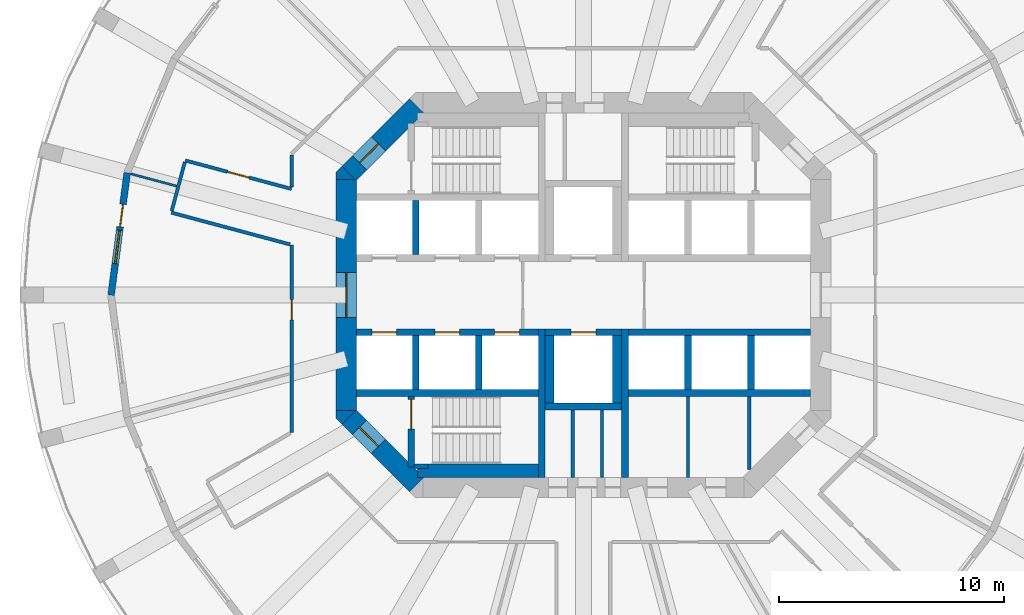
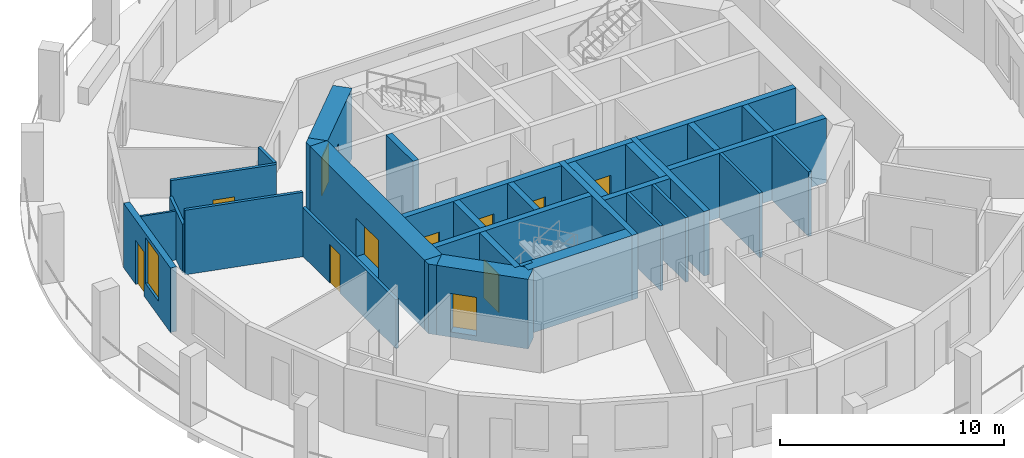
# One storey, part 3 of 8: 34 walls, 11 doors, 1 window, 12 openings.
"""IFC4 building model written with IfcOpenShell, lengths in metres."""

from ifc_helpers import new_model, si_unit, direction, frame, frame_2d, origin, place, context, subcontext, project, spatial, polyline, rectangle, outline, extrude, material, layer, layer_set, type_object, element, fill, save


model = new_model("IFC4")

# Units and contexts
model_context = context("Model", 3, precision=1e-05, world=origin(), true_north=direction((0.0, 1.0)))
body_context = subcontext(model_context, "Body", "Model", "MODEL_VIEW")
ifc_project = project(units=[si_unit("LENGTHUNIT", "METRE"), si_unit("AREAUNIT", "SQUARE_METRE"), si_unit("VOLUMEUNIT", "CUBIC_METRE"), si_unit("PLANEANGLEUNIT", "RADIAN"), si_unit("MASSUNIT", "GRAM", prefix="KILO")], contexts=[model_context])

# Site, building, storey
site_placement = place(None, origin())
site = spatial("IfcSite", under=ifc_project, at=site_placement, CompositionType="ELEMENT")
building_placement = place(site_placement, origin())
building = spatial("IfcBuilding", under=site, at=building_placement, Name="Torre Triforio", CompositionType="ELEMENT")
storey_placement = place(building_placement, frame((0.0, 0.0, 116.199951171875)))
storey = spatial("IfcBuildingStorey", under=building, at=storey_placement, Name="L25", CompositionType="ELEMENT", Elevation=116.199951171875)

# Walls
ifc_material_1 = material(Name="Concrete C60", Category="concrete")
ifc_layer_1 = layer(ifc_material_1, 0.300048828125)
ifc_layer_set_1 = layer_set([ifc_layer_1], Name="Concrete C60")
wall_type_1 = type_object("IfcWallType", Name="Core wall 300 mm C60 EI 120", PredefinedType="SHEAR", material=ifc_layer_set_1)
for number, where, z_axis, x_axis, name in (
    (1, (-1.85009765625, -8.10009765625, 0.0), (0.0, 0.0, 1.0), (0.0, 1.0, 0.0), "Core wall"),
    (2, (1.85009765625, -8.10009765625, 0.0), (0.0, 0.0, 1.0), (0.0, 1.0, 0.0), "Core wall"),
):
    element("IfcWall", number, at=place(storey_placement, frame(where, z_axis=z_axis, x_axis=x_axis)), inside=storey, type_object=wall_type_1, Name=name, PredefinedType="SHEAR", context=body_context, shape_type="SweptSolid", body=[
        extrude(rectangle(XDim=6.60009765625, YDim=0.300048828125, at=frame_2d((3.300048828125, 0.0))), origin(), (0.0, 0.0, 1.0), 3.52001953125),
    ])

# Wall, opening, door
ifc_layer_2 = layer(ifc_material_1, 0.89990234375)
ifc_layer_set_2 = layer_set([ifc_layer_2], Name="Concrete C60")
wall_type_2 = type_object("IfcWallType", Name="Core wall 900 mm C60 EI 120", PredefinedType="SHEAR", material=ifc_layer_set_2)
wall_1_placement = place(storey_placement, frame((-10.550048828125, -5.1298828125, -0.280029296875), z_axis=(0.0, 0.0, 1.0), x_axis=(0.0, 1.0, 0.0)))
wall_1 = element("IfcWall", 3, at=wall_1_placement, inside=storey, type_object=wall_type_2, Name="Core wall", PredefinedType="SHEAR", context=body_context, shape_type="SweptSolid", body=[
    extrude(rectangle(XDim=10.259765625, YDim=0.89990234375, at=frame_2d((5.1298828125, 0.0))), origin(), (0.0, 0.0, 1.0), 3.800048828125),
])
opening_1_placement = place(wall_1_placement, frame((4.1298828125, 0.0, 0.280029296875)))
opening_1 = element("IfcOpeningElement", 4, at=opening_1_placement, cuts=wall_1, Name="Opening W-RING", PredefinedType="OPENING", context=body_context, shape_type="SweptSolid", body=[
    extrude(rectangle(XDim=2.0, YDim=2.10009765625, at=frame_2d((1.0, 1.050048828125))), frame((0.0, 0.4599609375, 0.0), z_axis=(0.0, -1.0, 0.0), x_axis=(1.0, 0.0, 0.0)), (0.0, 0.0, 1.0), 0.919921875),
])
ifc_material_2 = material(Name="Hollow metal fire door leaf")
door_type_1 = type_object("IfcDoorType", Name="Lobby door 2000 x 2100 EI 60", OperationType="DOUBLE_DOOR_SINGLE_SWING", PredefinedType="DOOR", material=ifc_material_2)
door_1_placement = place(opening_1_placement, origin())
door_1 = element("IfcDoor", 5, at=door_1_placement, inside=storey, type_object=door_type_1, Name="Core door W-RING", OperationType="DOUBLE_DOOR_SINGLE_SWING", OverallHeight=2.10009765625, OverallWidth=2.0, PredefinedType="DOOR", context=body_context, shape_type="SweptSolid", body=[
    extrude(rectangle(XDim=2.0, YDim=2.10009765625, at=frame_2d((1.0, 1.050048828125))), frame((0.0, 0.02490234375, 0.0), z_axis=(0.0, -1.0, 0.0), x_axis=(1.0, 0.0, 0.0)), (0.0, 0.0, 1.0), 0.050048828125),
])
fill(opening_1, door_1)

wall_2_placement = place(storey_placement, frame((-10.418212890625, 5.418212890625, -0.280029296875), z_axis=(0.0, 0.0, 1.0), x_axis=(0.707106781187, 0.707106781187, 0.0)))
wall_2 = element("IfcWall", 6, at=wall_2_placement, inside=storey, type_object=wall_type_2, Name="Core wall", PredefinedType="SHEAR", context=body_context, shape_type="SweptSolid", body=[
    extrude(rectangle(XDim=4.24267578125, YDim=0.89990234375, at=frame_2d((2.121337890625, 0.0))), origin(), (0.0, 0.0, 1.0), 3.800048828125),
])
opening_2_placement = place(wall_2_placement, frame((0.64990234375, 0.0, 0.280029296875)))
opening_2 = element("IfcOpeningElement", 7, at=opening_2_placement, cuts=wall_2, Name="Opening ST1-EXIT", PredefinedType="OPENING", context=body_context, shape_type="SweptSolid", body=[
    extrude(rectangle(XDim=1.199951171875, YDim=2.10009765625, at=frame_2d((0.60009765625, 1.050048828125))), frame((0.0, 0.4599609375, 0.0), z_axis=(0.0, -1.0, 0.0), x_axis=(1.0, 0.0, 0.0)), (0.0, 0.0, 1.0), 0.919921875),
])
door_type_2 = type_object("IfcDoorType", Name="Stair lobby door 1200 x 2100 EI 60", OperationType="NOTDEFINED", PredefinedType="DOOR", material=ifc_material_2)
door_2_placement = place(opening_2_placement, origin())
door_2 = element("IfcDoor", 8, at=door_2_placement, inside=storey, type_object=door_type_2, Name="Core door ST1-EXIT", OperationType="SINGLE_SWING_RIGHT", OverallHeight=2.10009765625, OverallWidth=1.199951171875, PredefinedType="DOOR", context=body_context, shape_type="SweptSolid", body=[
    extrude(rectangle(XDim=1.199951171875, YDim=2.10009765625, at=frame_2d((0.60009765625, 1.050048828125))), frame((0.0, 0.02490234375, 0.0), z_axis=(0.0, -1.0, 0.0), x_axis=(1.0, 0.0, 0.0)), (0.0, 0.0, 1.0), 0.050048828125),
])
fill(opening_2, door_2)

wall_3_placement = place(storey_placement, frame((-7.418212890625, -8.418212890625, -0.280029296875), z_axis=(0.0, 0.0, 1.0), x_axis=(-0.707106781187, 0.707106781187, 0.0)))
wall_3 = element("IfcWall", 9, at=wall_3_placement, inside=storey, type_object=wall_type_2, Name="Core wall", PredefinedType="SHEAR", context=body_context, shape_type="SweptSolid", body=[
    extrude(rectangle(XDim=4.24267578125, YDim=0.89990234375, at=frame_2d((2.121337890625, 0.0))), origin(), (0.0, 0.0, 1.0), 3.800048828125),
])
opening_3_placement = place(wall_3_placement, frame((2.392578125, 0.0, 0.280029296875)))
opening_3 = element("IfcOpeningElement", 10, at=opening_3_placement, cuts=wall_3, Name="Opening ST3-EXIT", PredefinedType="OPENING", context=body_context, shape_type="SweptSolid", body=[
    extrude(rectangle(XDim=1.199951171875, YDim=2.10009765625, at=frame_2d((0.60009765625, 1.050048828125))), frame((0.0, 0.4599609375, 0.0), z_axis=(0.0, -1.0, 0.0), x_axis=(1.0, 0.0, 0.0)), (0.0, 0.0, 1.0), 0.919921875),
])
door_3_placement = place(opening_3_placement, origin())
door_3 = element("IfcDoor", 11, at=door_3_placement, inside=storey, type_object=door_type_2, Name="Core door ST3-EXIT", OperationType="SINGLE_SWING_RIGHT", OverallHeight=2.10009765625, OverallWidth=1.199951171875, PredefinedType="DOOR", context=body_context, shape_type="SweptSolid", body=[
    extrude(rectangle(XDim=1.199951171875, YDim=2.10009765625, at=frame_2d((0.60009765625, 1.050048828125))), frame((0.0, 0.02490234375, 0.0), z_axis=(0.0, -1.0, 0.0), x_axis=(1.0, 0.0, 0.0)), (0.0, 0.0, 1.0), 0.050048828125),
])
fill(opening_3, door_3)

# Walls
wall_4_placement = place(storey_placement, frame((0.0, 0.0, -0.280029296875)))
element("IfcWall", 12, at=wall_4_placement, inside=storey, type_object=wall_type_2, Name="Core wall", PredefinedType="SHEAR", context=body_context, shape_type="SweptSolid", body=[
    extrude(outline(polyline([(-11.0, -5.472900390625), (-11.0, -5.1298828125), (-10.1298828125, -5.1298828125), (-10.736328125, -5.736328125), (-11.0, -5.472900390625)])), origin(), (0.0, 0.0, 1.0), 3.800048828125),
])
wall_5_placement = place(storey_placement, frame((0.0, 0.0, -0.280029296875)))
element("IfcWall", 13, at=wall_5_placement, inside=storey, type_object=wall_type_2, Name="Core wall", PredefinedType="SHEAR", context=body_context, shape_type="SweptSolid", body=[
    extrude(outline(polyline([(-10.736328125, 5.736328125), (-10.1298828125, 5.1298828125), (-11.0, 5.1298828125), (-11.0, 5.472900390625), (-10.736328125, 5.736328125)])), origin(), (0.0, 0.0, 1.0), 3.800048828125),
])

# Wall, opening, door
ifc_material_3 = material(Name="Plasterboard on metal studs")
ifc_layer_3 = layer(ifc_material_3, 0.14990234375)
ifc_layer_set_3 = layer_set([ifc_layer_3], Name="Plasterboard on metal studs")
wall_type_3 = type_object("IfcWallType", Name="Corridor and tenancy wall 150 mm EI 60", PredefinedType="PARTITIONING", material=ifc_layer_set_3)
wall_6_placement = place(storey_placement, frame((-12.97509765625, -6.10546875, 0.0), z_axis=(0.0, 0.0, 1.0), x_axis=(0.0, 1.0, 0.0)))
wall_6 = element("IfcWall", 14, at=wall_6_placement, inside=storey, type_object=wall_type_3, Name="Partition 3", PredefinedType="PARTITIONING", context=body_context, shape_type="SweptSolid", body=[
    extrude(rectangle(XDim=8.33984375, YDim=0.14990234375, at=frame_2d((4.169921875, 0.0))), origin(), (0.0, 0.0, 1.0), 2.670166015625),
])
opening_4_placement = place(wall_6_placement, frame((5.00830078125, 0.0, 0.0)))
opening_4 = element("IfcOpeningElement", 15, at=opening_4_placement, cuts=wall_6, Name="Opening D1-04", PredefinedType="OPENING", context=body_context, shape_type="SweptSolid", body=[
    extrude(rectangle(XDim=0.89990234375, YDim=2.10009765625, at=frame_2d((0.449951171875, 1.050048828125))), frame((0.0, 0.0849609375, 0.0), z_axis=(0.0, -1.0, 0.0), x_axis=(1.0, 0.0, 0.0)), (0.0, 0.0, 1.0), 0.169921875),
])
ifc_material_4 = material(Name="Timber", Category="wood")
door_type_3 = type_object("IfcDoorType", Name="Door 900 x 2100 single leaf EI 30", OperationType="NOTDEFINED", PredefinedType="DOOR", material=ifc_material_4)
door_4_placement = place(opening_4_placement, origin())
door_4 = element("IfcDoor", 16, at=door_4_placement, inside=storey, type_object=door_type_3, Name="Door D1-04", OperationType="SINGLE_SWING_LEFT", OverallHeight=2.10009765625, OverallWidth=0.89990234375, PredefinedType="DOOR", context=body_context, shape_type="SweptSolid", body=[
    extrude(rectangle(XDim=0.89990234375, YDim=2.10009765625, at=frame_2d((0.449951171875, 1.050048828125))), frame((0.0, 0.02490234375, 0.0), z_axis=(0.0, -1.0, 0.0), x_axis=(1.0, 0.0, 0.0)), (0.0, 0.0, 1.0), 0.050048828125),
])
fill(opening_4, door_4)

# Walls
wall_7_placement = place(storey_placement, frame((-13.044921875, 2.253173828125, 0.0), z_axis=(0.0, 0.0, 1.0), x_axis=(-0.965932498402, 0.258794143153, 0.0)))
element("IfcWall", 17, at=wall_7_placement, inside=storey, type_object=wall_type_3, Name="Partition 4", PredefinedType="PARTITIONING", context=body_context, shape_type="SweptSolid", body=[
    extrude(rectangle(XDim=5.465087890625, YDim=0.14990234375, at=frame_2d((2.732421875, 0.0))), origin(), (0.0, 0.0, 1.0), 3.52001953125),
])
wall_8_placement = place(storey_placement, frame((-18.304443359375, 3.739990234375, 0.0), z_axis=(0.0, 0.0, 1.0), x_axis=(0.25879032241, 0.965933522054, 0.0)))
element("IfcWall", 18, at=wall_8_placement, inside=storey, type_object=wall_type_3, Name="Partition 5", PredefinedType="PARTITIONING", context=body_context, shape_type="SweptSolid", body=[
    extrude(rectangle(XDim=2.25, YDim=0.14990234375, at=frame_2d((1.125, 0.0))), origin(), (0.0, 0.0, 1.0), 2.670166015625),
])

# Wall, opening, door
wall_9_placement = place(storey_placement, frame((-17.70263671875, 5.98583984375, 0.0), z_axis=(0.0, 0.0, 1.0), x_axis=(0.965920440817, -0.258839143121, 0.0)))
wall_9 = element("IfcWall", 19, at=wall_9_placement, inside=storey, type_object=wall_type_3, Name="Partition 6", PredefinedType="PARTITIONING", context=body_context, shape_type="SweptSolid", body=[
    extrude(rectangle(XDim=4.894287109375, YDim=0.14990234375, at=frame_2d((2.447265625, 0.0))), origin(), (0.0, 0.0, 1.0), 3.52001953125),
])
opening_5_placement = place(wall_9_placement, frame((1.947265625, 0.0, 0.0)))
opening_5 = element("IfcOpeningElement", 20, at=opening_5_placement, cuts=wall_9, Name="Opening D1-03", PredefinedType="OPENING", context=body_context, shape_type="SweptSolid", body=[
    extrude(rectangle(XDim=1.0, YDim=2.10009765625, at=frame_2d((0.5, 1.050048828125))), frame((0.0, 0.0849609375, 0.0), z_axis=(0.0, -1.0, 0.0), x_axis=(1.0, 0.0, 0.0)), (0.0, 0.0, 1.0), 0.169921875),
])
door_type_4 = type_object("IfcDoorType", Name="Door 1000 x 2100 single leaf EI 30", OperationType="NOTDEFINED", PredefinedType="DOOR", material=ifc_material_4)
door_5_placement = place(opening_5_placement, origin())
door_5 = element("IfcDoor", 21, at=door_5_placement, inside=storey, type_object=door_type_4, Name="Door D1-03", OperationType="SINGLE_SWING_RIGHT", OverallHeight=2.10009765625, OverallWidth=1.0, PredefinedType="DOOR", context=body_context, shape_type="SweptSolid", body=[
    extrude(rectangle(XDim=1.0, YDim=2.10009765625, at=frame_2d((0.5, 1.050048828125))), frame((0.0, 0.02490234375, 0.0), z_axis=(0.0, -1.0, 0.0), x_axis=(1.0, 0.0, 0.0)), (0.0, 0.0, 1.0), 0.050048828125),
])
fill(opening_5, door_5)

# Walls
wall_10_placement = place(storey_placement, frame((-12.97509765625, 4.81640625, 0.0), z_axis=(0.0, 0.0, 1.0), x_axis=(0.0, 1.0, 0.0)))
element("IfcWall", 22, at=wall_10_placement, inside=storey, type_object=wall_type_3, Name="Partition 7", PredefinedType="PARTITIONING", context=body_context, shape_type="SweptSolid", body=[
    extrude(rectangle(XDim=1.421875, YDim=0.14990234375, at=frame_2d((0.7109375, 0.0))), origin(), (0.0, 0.0, 1.0), 3.52001953125),
])
ifc_layer_4 = layer(ifc_material_3, 0.10009765625)
ifc_layer_set_4 = layer_set([ifc_layer_4], Name="Plasterboard on metal studs")
wall_type_4 = type_object("IfcWallType", Name="Partition 100 mm board on metal studs", PredefinedType="PARTITIONING", material=ifc_layer_set_4)
wall_11_placement = place(storey_placement, frame((-18.085693359375, 4.84619140625, 0.0), z_axis=(0.0, 0.0, 1.0), x_axis=(-0.965956301772, 0.258705282257, 0.0)))
element("IfcWall", 23, at=wall_11_placement, inside=storey, type_object=wall_type_4, Name="Partition 35", PredefinedType="PARTITIONING", context=body_context, shape_type="SweptSolid", body=[
    extrude(rectangle(XDim=2.113037109375, YDim=0.10009765625, at=frame_2d((1.056640625, 0.0))), origin(), (0.0, 0.0, 1.0), 2.670166015625),
])
ifc_material_5 = material(Name="Block and board partition")
ifc_layer_5 = layer(ifc_material_5, 0.14990234375)
ifc_layer_set_5 = layer_set([ifc_layer_5], Name="Block and board partition")
wall_type_5 = type_object("IfcWallType", Name="Partition 150 mm", PredefinedType="PARTITIONING", material=ifc_layer_set_5)
wall_12_placement = place(storey_placement, frame((-0.47509765625, -8.10009765625, 0.0), z_axis=(0.0, 0.0, 1.0), x_axis=(0.0, 1.0, 0.0)))
element("IfcWall", 24, at=wall_12_placement, inside=storey, type_object=wall_type_5, Name="Partition", PredefinedType="PARTITIONING", context=body_context, shape_type="SweptSolid", body=[
    extrude(rectangle(XDim=3.0, YDim=0.14990234375, at=frame_2d((1.5, 0.0))), origin(), (0.0, 0.0, 1.0), 3.52001953125),
])
wall_13_placement = place(storey_placement, frame((4.64892578125, -8.10009765625, 0.0), z_axis=(0.0, 0.0, 1.0), x_axis=(0.0, 1.0, 0.0)))
element("IfcWall", 25, at=wall_13_placement, inside=storey, type_object=wall_type_5, Name="Partition", PredefinedType="PARTITIONING", context=body_context, shape_type="SweptSolid", body=[
    extrude(rectangle(XDim=3.60009765625, YDim=0.14990234375, at=frame_2d((1.800048828125, 0.0))), origin(), (0.0, 0.0, 1.0), 3.52001953125),
])
wall_14_placement = place(storey_placement, frame((7.373046875, -7.751953125, 0.0), z_axis=(0.0, 0.0, 1.0), x_axis=(0.0, 1.0, 0.0)))
element("IfcWall", 26, at=wall_14_placement, inside=storey, type_object=wall_type_5, Name="Partition", PredefinedType="PARTITIONING", context=body_context, shape_type="SweptSolid", body=[
    extrude(rectangle(XDim=3.251953125, YDim=0.14990234375, at=frame_2d((1.6259765625, 0.0))), origin(), (0.0, 0.0, 1.0), 3.52001953125),
])
ifc_layer_6 = layer(ifc_material_5, 0.14990234375)
ifc_layer_set_6 = layer_set([ifc_layer_6], Name="Block and board partition")
wall_type_6 = type_object("IfcWallType", Name="Partition 150 mm EI 120", PredefinedType="PARTITIONING", material=ifc_layer_set_6)
wall_15_placement = place(storey_placement, frame((0.824951171875, -8.10009765625, 0.0), z_axis=(0.0, 0.0, 1.0), x_axis=(0.0, 1.0, 0.0)))
element("IfcWall", 27, at=wall_15_placement, inside=storey, type_object=wall_type_6, Name="Partition", PredefinedType="PARTITIONING", context=body_context, shape_type="SweptSolid", body=[
    extrude(rectangle(XDim=3.0, YDim=0.14990234375, at=frame_2d((1.5, 0.0))), origin(), (0.0, 0.0, 1.0), 3.52001953125),
])
ifc_layer_7 = layer(ifc_material_1, 0.300048828125)
ifc_layer_set_7 = layer_set([ifc_layer_7], Name="Concrete C60")
wall_type_7 = type_object("IfcWallType", Name="Shaft wall 300 mm C60 EI 120", PredefinedType="SOLIDWALL", material=ifc_layer_set_7)
for number, where, z_axis, x_axis, name in (
    (28, (-10.10009765625, -4.35009765625, 0.0), (0.0, 0.0, 1.0), (1.0, 0.0, 0.0), "Shaft wall"),
    (29, (2.0, -4.35009765625, 0.0), (0.0, 0.0, 1.0), (1.0, 0.0, 0.0), "Shaft wall"),
):
    element("IfcWall", number, at=place(storey_placement, frame(where, z_axis=z_axis, x_axis=x_axis)), inside=storey, type_object=wall_type_7, Name=name, PredefinedType="SOLIDWALL", context=body_context, shape_type="SweptSolid", body=[
        extrude(rectangle(XDim=8.10009765625, YDim=0.300048828125, at=frame_2d((4.050048828125, 0.0))), origin(), (0.0, 0.0, 1.0), 3.52001953125),
    ])

# Wall, openings, doors
wall_16_placement = place(storey_placement, frame((-10.10009765625, -1.64990234375, 0.0), z_axis=(0.0, 0.0, 1.0), x_axis=(1.0, 0.0, 0.0)))
wall_16 = element("IfcWall", 30, at=wall_16_placement, inside=storey, type_object=wall_type_7, Name="Shaft wall", PredefinedType="SOLIDWALL", context=body_context, shape_type="SweptSolid", body=[
    extrude(rectangle(XDim=8.10009765625, YDim=0.300048828125, at=frame_2d((4.050048828125, 0.0))), origin(), (0.0, 0.0, 1.0), 3.52001953125),
])
opening_6_placement = place(wall_16_placement, frame((0.699951171875, 0.0, 0.0)))
opening_6 = element("IfcOpeningElement", 31, at=opening_6_placement, cuts=wall_16, Name="Opening LD", PredefinedType="OPENING", context=body_context, shape_type="SweptSolid", body=[
    extrude(rectangle(XDim=1.10009765625, YDim=2.10009765625, at=frame_2d((0.550048828125, 1.050048828125))), frame((0.0, 0.159912109375, 0.0), z_axis=(0.0, -1.0, 0.0), x_axis=(1.0, 0.0, 0.0)), (0.0, 0.0, 1.0), 0.320068359375),
])
opening_7_placement = place(wall_16_placement, frame((3.5, 0.0, 0.0)))
opening_7 = element("IfcOpeningElement", 32, at=opening_7_placement, cuts=wall_16, Name="Opening LD", PredefinedType="OPENING", context=body_context, shape_type="SweptSolid", body=[
    extrude(rectangle(XDim=1.10009765625, YDim=2.10009765625, at=frame_2d((0.550048828125, 1.050048828125))), frame((0.0, 0.159912109375, 0.0), z_axis=(0.0, -1.0, 0.0), x_axis=(1.0, 0.0, 0.0)), (0.0, 0.0, 1.0), 0.320068359375),
])
opening_8_placement = place(wall_16_placement, frame((6.14990234375, 0.0, 0.0)))
opening_8 = element("IfcOpeningElement", 33, at=opening_8_placement, cuts=wall_16, Name="Opening LD", PredefinedType="OPENING", context=body_context, shape_type="SweptSolid", body=[
    extrude(rectangle(XDim=1.10009765625, YDim=2.10009765625, at=frame_2d((0.550048828125, 1.050048828125))), frame((0.0, 0.159912109375, 0.0), z_axis=(0.0, -1.0, 0.0), x_axis=(1.0, 0.0, 0.0)), (0.0, 0.0, 1.0), 0.320068359375),
])
door_type_5 = type_object("IfcDoorType", Name="Landing door 1100 x 2100 EI 60", OperationType="DOUBLE_DOOR_SLIDING", PredefinedType="DOOR", material=ifc_material_2)
door_6_placement = place(opening_6_placement, origin())
door_6 = element("IfcDoor", 34, at=door_6_placement, inside=storey, type_object=door_type_5, Name="Landing door LR4", OperationType="DOUBLE_DOOR_SLIDING", OverallHeight=2.10009765625, OverallWidth=1.10009765625, PredefinedType="DOOR", context=body_context, shape_type="SweptSolid", body=[
    extrude(rectangle(XDim=1.10009765625, YDim=2.10009765625, at=frame_2d((0.550048828125, 1.050048828125))), frame((0.0, 0.02490234375, 0.0), z_axis=(0.0, -1.0, 0.0), x_axis=(1.0, 0.0, 0.0)), (0.0, 0.0, 1.0), 0.050048828125),
])
fill(opening_6, door_6)
door_7_placement = place(opening_7_placement, origin())
door_7 = element("IfcDoor", 35, at=door_7_placement, inside=storey, type_object=door_type_5, Name="Landing door LR5", OperationType="DOUBLE_DOOR_SLIDING", OverallHeight=2.10009765625, OverallWidth=1.10009765625, PredefinedType="DOOR", context=body_context, shape_type="SweptSolid", body=[
    extrude(rectangle(XDim=1.10009765625, YDim=2.10009765625, at=frame_2d((0.550048828125, 1.050048828125))), frame((0.0, 0.02490234375, 0.0), z_axis=(0.0, -1.0, 0.0), x_axis=(1.0, 0.0, 0.0)), (0.0, 0.0, 1.0), 0.050048828125),
])
fill(opening_7, door_7)
door_8_placement = place(opening_8_placement, origin())
door_8 = element("IfcDoor", 36, at=door_8_placement, inside=storey, type_object=door_type_5, Name="Landing door LR6", OperationType="DOUBLE_DOOR_SLIDING", OverallHeight=2.10009765625, OverallWidth=1.10009765625, PredefinedType="DOOR", context=body_context, shape_type="SweptSolid", body=[
    extrude(rectangle(XDim=1.10009765625, YDim=2.10009765625, at=frame_2d((0.550048828125, 1.050048828125))), frame((0.0, 0.02490234375, 0.0), z_axis=(0.0, -1.0, 0.0), x_axis=(1.0, 0.0, 0.0)), (0.0, 0.0, 1.0), 0.050048828125),
])
fill(opening_8, door_8)

# Walls
wall_17_placement = place(storey_placement, frame((2.0, -1.64990234375, 0.0), z_axis=(0.0, 0.0, 1.0), x_axis=(1.0, 0.0, 0.0)))
element("IfcWall", 37, at=wall_17_placement, inside=storey, type_object=wall_type_7, Name="Shaft wall", PredefinedType="SOLIDWALL", context=body_context, shape_type="SweptSolid", body=[
    extrude(rectangle(XDim=8.10009765625, YDim=0.300048828125, at=frame_2d((4.050048828125, 0.0))), origin(), (0.0, 0.0, 1.0), 3.52001953125),
])
for number, where, z_axis, x_axis, name in (
    (38, (-7.449951171875, 1.800048828125, 0.0), (0.0, 0.0, 1.0), (0.0, 1.0, 0.0), "Shaft wall"),
    (39, (-7.449951171875, -4.199951171875, 0.0), (0.0, 0.0, 1.0), (0.0, 1.0, 0.0), "Shaft wall"),
    (40, (-4.64990234375, -4.199951171875, 0.0), (0.0, 0.0, 1.0), (0.0, 1.0, 0.0), "Shaft wall"),
    (41, (4.64990234375, -4.199951171875, 0.0), (0.0, 0.0, 1.0), (0.0, 1.0, 0.0), "Shaft wall"),
    (42, (7.449951171875, -4.199951171875, 0.0), (0.0, 0.0, 1.0), (0.0, 1.0, 0.0), "Shaft wall"),
):
    element("IfcWall", number, at=place(storey_placement, frame(where, z_axis=z_axis, x_axis=x_axis)), inside=storey, type_object=wall_type_7, Name=name, PredefinedType="SOLIDWALL", context=body_context, shape_type="SweptSolid", body=[
        extrude(rectangle(XDim=2.39990234375, YDim=0.300048828125, at=frame_2d((1.199951171875, 0.0))), origin(), (0.0, 0.0, 1.0), 3.52001953125),
    ])

# Wall, opening, door
wall_18_placement = place(storey_placement, frame((-1.699951171875, -1.64990234375, 0.0), z_axis=(0.0, 0.0, 1.0), x_axis=(1.0, 0.0, 0.0)))
wall_18 = element("IfcWall", 43, at=wall_18_placement, inside=storey, type_object=wall_type_7, Name="Shaft wall", PredefinedType="SOLIDWALL", context=body_context, shape_type="SweptSolid", body=[
    extrude(rectangle(XDim=3.39990234375, YDim=0.300048828125, at=frame_2d((1.699951171875, 0.0))), origin(), (0.0, 0.0, 1.0), 3.52001953125),
])
opening_9_placement = place(wall_18_placement, frame((1.14990234375, 0.0, 0.0)))
opening_9 = element("IfcOpeningElement", 44, at=opening_9_placement, cuts=wall_18, Name="Opening LD", PredefinedType="OPENING", context=body_context, shape_type="SweptSolid", body=[
    extrude(rectangle(XDim=1.10009765625, YDim=2.10009765625, at=frame_2d((0.550048828125, 1.050048828125))), frame((0.0, 0.159912109375, 0.0), z_axis=(0.0, -1.0, 0.0), x_axis=(1.0, 0.0, 0.0)), (0.0, 0.0, 1.0), 0.320068359375),
])
door_9_placement = place(opening_9_placement, origin())
door_9 = element("IfcDoor", 45, at=door_9_placement, inside=storey, type_object=door_type_5, Name="Landing door FFL2", OperationType="DOUBLE_DOOR_SLIDING", OverallHeight=2.10009765625, OverallWidth=1.10009765625, PredefinedType="DOOR", context=body_context, shape_type="SweptSolid", body=[
    extrude(rectangle(XDim=1.10009765625, YDim=2.10009765625, at=frame_2d((0.550048828125, 1.050048828125))), frame((0.0, 0.02490234375, 0.0), z_axis=(0.0, -1.0, 0.0), x_axis=(1.0, 0.0, 0.0)), (0.0, 0.0, 1.0), 0.050048828125),
])
fill(opening_9, door_9)

# Walls
wall_19_placement = place(storey_placement, frame((-1.699951171875, -4.949951171875, 0.0), z_axis=(0.0, 0.0, 1.0), x_axis=(1.0, 0.0, 0.0)))
element("IfcWall", 46, at=wall_19_placement, inside=storey, type_object=wall_type_7, Name="Shaft wall", PredefinedType="SOLIDWALL", context=body_context, shape_type="SweptSolid", body=[
    extrude(rectangle(XDim=3.39990234375, YDim=0.300048828125, at=frame_2d((1.699951171875, 0.0))), origin(), (0.0, 0.0, 1.0), 3.52001953125),
])
ifc_layer_8 = layer(ifc_material_1, 0.39990234375)
ifc_layer_set_8 = layer_set([ifc_layer_8], Name="Concrete C60")
wall_type_8 = type_object("IfcWallType", Name="Shaft wall 400 mm C60 EI 120", PredefinedType="SOLIDWALL", material=ifc_layer_set_8)
for number, where, z_axis, x_axis, name in (
    (47, (-1.5, -4.800048828125, 0.0), (0.0, 0.0, 1.0), (0.0, 1.0, 0.0), "Shaft wall"),
    (48, (1.5, -4.800048828125, 0.0), (0.0, 0.0, 1.0), (0.0, 1.0, 0.0), "Shaft wall"),
):
    element("IfcWall", number, at=place(storey_placement, frame(where, z_axis=z_axis, x_axis=x_axis)), inside=storey, type_object=wall_type_8, Name=name, PredefinedType="SOLIDWALL", context=body_context, shape_type="SweptSolid", body=[
        extrude(rectangle(XDim=3.0, YDim=0.39990234375, at=frame_2d((1.5, 0.0))), origin(), (0.0, 0.0, 1.0), 3.52001953125),
    ])
ifc_layer_9 = layer(ifc_material_1, 0.199951171875)
ifc_layer_set_9 = layer_set([ifc_layer_9], Name="Concrete C60")
wall_type_9 = type_object("IfcWallType", Name="Stair wall 200 mm C60 EI 120", PredefinedType="SHEAR", material=ifc_layer_set_9)
wall_20_placement = place(storey_placement, frame((-7.5, -7.60009765625, 0.0), z_axis=(0.0, 0.0, 1.0), x_axis=(1.0, 0.0, 0.0)))
element("IfcWall", 49, at=wall_20_placement, inside=storey, type_object=wall_type_9, Name="Stair wall", PredefinedType="SHEAR", context=body_context, shape_type="SweptSolid", body=[
    extrude(rectangle(XDim=0.60009765625, YDim=0.199951171875, at=frame_2d((0.300048828125, 0.0))), origin(), (0.0, 0.0, 1.0), 3.52001953125),
])

# Wall, opening, door
ifc_layer_10 = layer(ifc_material_1, 0.300048828125)
ifc_layer_set_10 = layer_set([ifc_layer_10], Name="Concrete C60")
wall_type_10 = type_object("IfcWallType", Name="Stair wall 300 mm C60 EI 120", PredefinedType="SHEAR", material=ifc_layer_set_10)
wall_21_placement = place(storey_placement, frame((-7.64990234375, -7.639892578125, 0.0), z_axis=(0.0, 0.0, 1.0), x_axis=(0.0, 1.0, 0.0)))
wall_21 = element("IfcWall", 50, at=wall_21_placement, inside=storey, type_object=wall_type_10, Name="Stair wall", PredefinedType="SHEAR", context=body_context, shape_type="SweptSolid", body=[
    extrude(rectangle(XDim=3.139892578125, YDim=0.300048828125, at=frame_2d((1.56982421875, 0.0))), origin(), (0.0, 0.0, 1.0), 3.52001953125),
])
opening_10_placement = place(wall_21_placement, frame((1.679931640625, 0.0, 0.0)))
opening_10 = element("IfcOpeningElement", 51, at=opening_10_placement, cuts=wall_21, Name="Opening ST3-STA", PredefinedType="OPENING", context=body_context, shape_type="SweptSolid", body=[
    extrude(rectangle(XDim=1.320068359375, YDim=2.10009765625, at=frame_2d((0.66015625, 1.050048828125))), frame((0.0, 0.159912109375, 0.0), z_axis=(0.0, -1.0, 0.0), x_axis=(1.0, 0.0, 0.0)), (0.0, 0.0, 1.0), 0.320068359375),
])
door_type_6 = type_object("IfcDoorType", Name="Stair door 1320 x 2100 EI 90", OperationType="DOUBLE_DOOR_SINGLE_SWING", PredefinedType="DOOR", material=ifc_material_2)
door_10_placement = place(opening_10_placement, origin())
door_10 = element("IfcDoor", 52, at=door_10_placement, inside=storey, type_object=door_type_6, Name="Core door ST3-ST", OperationType="DOUBLE_DOOR_SINGLE_SWING", OverallHeight=2.10009765625, OverallWidth=1.320068359375, PredefinedType="DOOR", context=body_context, shape_type="SweptSolid", body=[
    extrude(rectangle(XDim=1.320068359375, YDim=2.10009765625, at=frame_2d((0.66015625, 1.050048828125))), frame((0.0, 0.02490234375, 0.0), z_axis=(0.0, -1.0, 0.0), x_axis=(1.0, 0.0, 0.0)), (0.0, 0.0, 1.0), 0.050048828125),
])
fill(opening_10, door_10)

# Wall
ifc_layer_11 = layer(ifc_material_1, 0.60009765625)
ifc_layer_set_11 = layer_set([ifc_layer_11], Name="Concrete C60")
wall_type_11 = type_object("IfcWallType", Name="Stair wall 600 mm C60 EI 120", PredefinedType="SHEAR", material=ifc_layer_set_11)
wall_22_placement = place(storey_placement, frame((-7.3701171875, -7.800048828125, 0.0), z_axis=(0.0, 0.0, 1.0), x_axis=(1.0, 0.0, 0.0)))
element("IfcWall", 53, at=wall_22_placement, inside=storey, type_object=wall_type_11, Name="Stair wall", PredefinedType="SHEAR", context=body_context, shape_type="SweptSolid", body=[
    extrude(rectangle(XDim=5.3701171875, YDim=0.60009765625, at=frame_2d((2.68505859375, 0.0))), origin(), (0.0, 0.0, 1.0), 3.52001953125),
])

# Wall, openings, door, window
ifc_material_6 = material(Name="Limestone cladding", Category="masonry")
ifc_layer_12 = layer(ifc_material_6, 0.10009765625)
ifc_material_7 = material(Name="Concrete C40", Category="concrete")
ifc_layer_13 = layer(ifc_material_7, 0.199951171875)
ifc_layer_set_12 = layer_set([ifc_layer_12, ifc_layer_13], Name="Limestone cladding / Concrete C40")
wall_type_12 = type_object("IfcWallType", Name="Stone-faced composite wall 300", PredefinedType="STANDARD", material=ifc_layer_set_12)
wall_23_placement = place(storey_placement, frame((-20.284423828125, 5.435302734375, 0.0), z_axis=(0.0, 0.0, 1.0), x_axis=(-0.130527087244, -0.991444743541, 0.0)))
wall_23 = element("IfcWall", 54, at=wall_23_placement, inside=storey, type_object=wall_type_12, Name="External wall L25 bay 12", PredefinedType="STANDARD", context=body_context, shape_type="SweptSolid", body=[
    extrude(rectangle(XDim=5.482177734375, YDim=0.300048828125, at=frame_2d((2.7412109375, 0.0))), origin(), (0.0, 0.0, 1.0), 3.52001953125),
])
opening_11_placement = place(wall_23_placement, frame((1.416015625, 0.0, 0.0)))
opening_11 = element("IfcOpeningElement", 55, at=opening_11_placement, cuts=wall_23, Name="Opening D1-D12", PredefinedType="OPENING", context=body_context, shape_type="SweptSolid", body=[
    extrude(rectangle(XDim=1.0, YDim=2.39990234375, at=frame_2d((0.5, 1.199951171875))), frame((0.0, 0.159912109375, 0.0), z_axis=(0.0, -1.0, 0.0), x_axis=(1.0, 0.0, 0.0)), (0.0, 0.0, 1.0), 0.320068359375),
])
opening_12_placement = place(wall_23_placement, frame((2.566162109375, 0.0, 0.800048828125)))
opening_12 = element("IfcOpeningElement", 56, at=opening_12_placement, cuts=wall_23, Name="Opening D1-W12A", PredefinedType="OPENING", context=body_context, shape_type="SweptSolid", body=[
    extrude(rectangle(XDim=1.5, YDim=2.5, at=frame_2d((0.75, 1.25))), frame((0.0, 0.159912109375, 0.0), z_axis=(0.0, -1.0, 0.0), x_axis=(1.0, 0.0, 0.0)), (0.0, 0.0, 1.0), 0.320068359375),
])
ifc_material_8 = material(Name="Aluminium frame with clear double glazing", Category="aluminium")
door_type_7 = type_object("IfcDoorType", Name="Loggia door 1000 x 2400", OperationType="NOTDEFINED", PredefinedType="DOOR", material=ifc_material_8)
door_11_placement = place(opening_11_placement, origin())
door_11 = element("IfcDoor", 57, at=door_11_placement, inside=storey, type_object=door_type_7, Name="Loggia door L25 bay 12", OperationType="SINGLE_SWING_LEFT", OverallHeight=2.39990234375, OverallWidth=1.0, PredefinedType="DOOR", context=body_context, shape_type="SweptSolid", body=[
    extrude(rectangle(XDim=1.0, YDim=2.39990234375, at=frame_2d((0.5, 1.199951171875))), frame((0.0, 0.02490234375, 0.0), z_axis=(0.0, -1.0, 0.0), x_axis=(1.0, 0.0, 0.0)), (0.0, 0.0, 1.0), 0.050048828125),
])
fill(opening_11, door_11)
window_type = type_object("IfcWindowType", Name="Side window 1500 x 2500", PartitioningType="SINGLE_PANEL", PredefinedType="WINDOW", material=ifc_material_8)
window_placement = place(opening_12_placement, origin())
window = element("IfcWindow", 58, at=window_placement, inside=storey, type_object=window_type, Name="Side window EWN13 L25 bay 12", OverallHeight=2.5, OverallWidth=1.5, PartitioningType="SINGLE_PANEL", PredefinedType="WINDOW", context=body_context, shape_type="SweptSolid", body=[
    extrude(rectangle(XDim=1.5, YDim=2.5, at=frame_2d((0.75, 1.25))), frame((0.0, 0.030029296875, 0.0), z_axis=(0.0, -1.0, 0.0), x_axis=(1.0, 0.0, 0.0)), (0.0, 0.0, 1.0), 0.06005859375),
])
fill(opening_12, window)

save(model, "model.ifc")
